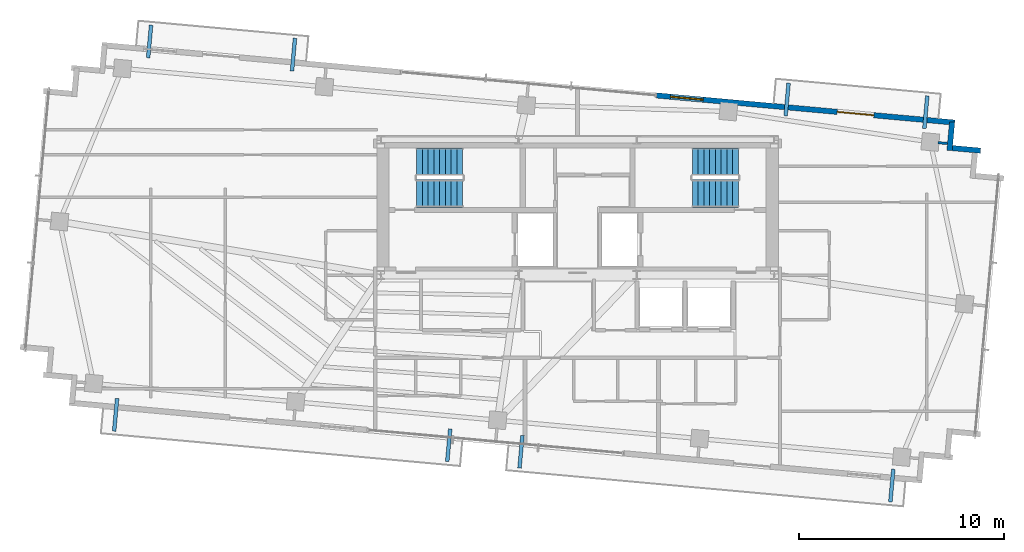
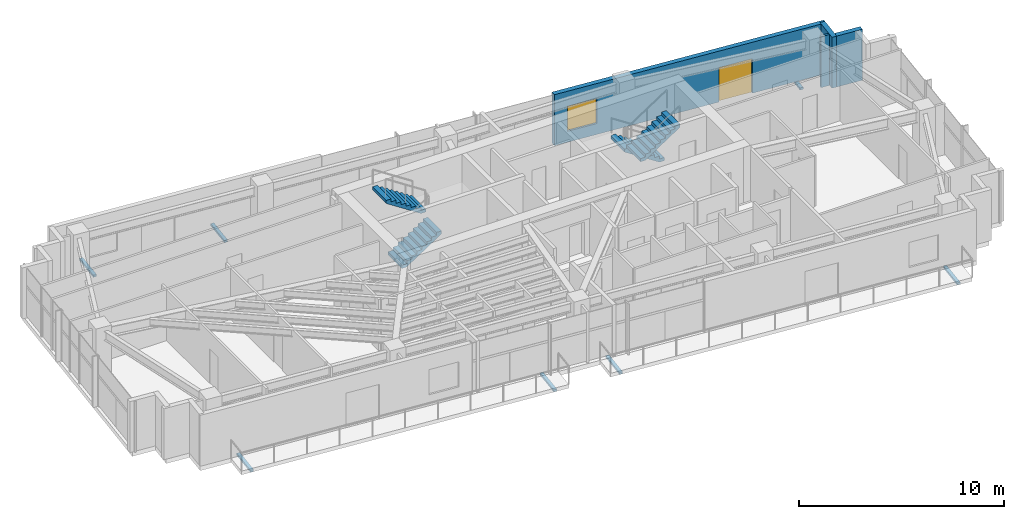
# One storey, part 19 of 22: 8 discrete accessories, 4 stair flights, 4 walls, 1 door, 1 window, 2 openings, 2 elements without a shape of their own.
"""IFC4 building model written with IfcOpenShell, lengths in metres."""

import ifcopenshell
import ifcopenshell.guid

model = None  # the IFC model being written
_history = None  # IfcOwnerHistory: only IFC2X3 demands one
_inside = {}  # id of a spatial element -> (the spatial element, [elements in it])
_under = {}  # id of a project, library or spatial element -> (it, [spatial elements below it])
_declared = {}  # id of a project -> (the project, [libraries it declares])
_typed = {}  # id of a type object -> (the type object, [elements of that type])
_made_of = {}  # id of a material, layer set ... -> (it, [elements and type objects made of it])


def new_model(schema):
    """Start an empty IFC model of exactly this schema.

    Asked for "IFC4X3", IfcOpenShell would pick the latest addendum, in which some entities
    have other attributes; the version numbers below select the first issue.
    IFC2X3 requires an IfcOwnerHistory on every rooted entity: one is made here for all.
    """
    global model, _history
    if schema == "IFC4X3":
        model = ifcopenshell.file(schema_version=(4, 3, 0, 0))
    else:
        model = ifcopenshell.file(schema=schema)
    _inside.clear()
    _under.clear()
    _declared.clear()
    _typed.clear()
    _made_of.clear()
    _history = None
    if model.schema == "IFC2X3":
        org = make("IfcOrganization", Name="unknown")
        user = make(
            "IfcPersonAndOrganization",
            ThePerson=make("IfcPerson", FamilyName="unknown"),
            TheOrganization=org,
        )
        app = make(
            "IfcApplication",
            ApplicationDeveloper=org,
            Version="unknown",
            ApplicationFullName="unknown",
            ApplicationIdentifier="unknown",
        )
        _history = make(
            "IfcOwnerHistory",
            OwningUser=user,
            OwningApplication=app,
            ChangeAction="ADDED",
            CreationDate=0,
        )
    return model


def make(cls, **values):
    """One entity of the class cls with the attributes given. An attribute that is None is left unset."""
    return model.create_entity(
        cls, **{name: value for name, value in values.items() if value is not None}
    )


def rooted(cls, **values):
    """An entity with a GlobalId (a new one), such as an element, a storey or a relation."""
    return make(cls, GlobalId=ifcopenshell.guid.new(), OwnerHistory=_history, **values)


def si_unit(unit_type, name, prefix=None):
    """IfcSIUnit, for example si_unit("LENGTHUNIT", "METRE", prefix="MILLI")."""
    return make("IfcSIUnit", UnitType=unit_type, Prefix=prefix, Name=name)


def assignment(units):
    """IfcUnitAssignment: the units of a project."""
    return None if units is None else make("IfcUnitAssignment", Units=units)


def point(xyz):
    """IfcCartesianPoint."""
    return None if xyz is None else make("IfcCartesianPoint", Coordinates=xyz)


def direction(xyz):
    """IfcDirection."""
    return None if xyz is None else make("IfcDirection", DirectionRatios=xyz)


def frame(location, z_axis=None, x_axis=None):
    """IfcAxis2Placement3D, a coordinate frame: its origin and axes. An axis left out is left unset."""
    return make(
        "IfcAxis2Placement3D",
        Location=point(location),
        Axis=direction(z_axis),
        RefDirection=direction(x_axis),
    )


def frame_2d(location, x_axis=None):
    """IfcAxis2Placement2D, a coordinate frame in the plane: its origin and x axis."""
    return make(
        "IfcAxis2Placement2D", Location=point(location), RefDirection=direction(x_axis)
    )


def origin():
    """The frame at (0, 0, 0) with its axes left unset."""
    return frame((0.0, 0.0, 0.0))


def origin_2d():
    """The frame at (0, 0) in the plane with its x axis left unset."""
    return frame_2d((0.0, 0.0))


def place(relative_to, where):
    """IfcLocalPlacement: puts the frame where relative to a parent placement (None: the world)."""
    return make(
        "IfcLocalPlacement", PlacementRelTo=relative_to, RelativePlacement=where
    )


def context(
    kind, dimensions, precision=None, world=None, true_north=None, identifier=None
):
    """IfcGeometricRepresentationContext, for example the 3D "Model" context."""
    return make(
        "IfcGeometricRepresentationContext",
        ContextIdentifier=identifier,
        ContextType=kind,
        CoordinateSpaceDimension=dimensions,
        Precision=precision,
        WorldCoordinateSystem=world,
        TrueNorth=true_north,
    )


def subcontext(parent, identifier, kind, view, scale=None):
    """IfcGeometricRepresentationSubContext, for example "Body" below "Model"."""
    return make(
        "IfcGeometricRepresentationSubContext",
        ContextIdentifier=identifier,
        ContextType=kind,
        ParentContext=parent,
        TargetScale=scale,
        TargetView=view,
    )


def project(units=None, contexts=None):
    """IfcProject with its units and contexts."""
    return rooted(
        "IfcProject",
        Name="project",
        RepresentationContexts=contexts,
        UnitsInContext=assignment(units),
    )


def spatial(cls, under=None, at=None, **own):
    """A site, building, storey or space (cls), placed at a placement, below another one or the project."""
    s = rooted(cls, ObjectPlacement=at, **own)
    if under is not None:
        _under.setdefault(under.id(), (under, []))[1].append(s)
    return s


def polyline(points):
    """IfcPolyline through the points."""
    return make("IfcPolyline", Points=[point(p) for p in points])


def profile(cls, at=None, kind="AREA", **sizes):
    """A parametric profile (cls). Its sizes go by their IFC names, for example OverallWidth=200.0."""
    return make(cls, ProfileType=kind, Position=at, **sizes)


def rectangle(**sizes):
    """IfcRectangleProfileDef."""
    return profile("IfcRectangleProfileDef", **sizes)


def outline(outer, holes=None, kind="AREA"):
    """IfcArbitraryClosedProfileDef: a profile drawn as a closed curve; with holes, ...WithVoids."""
    if holes is None:
        return make("IfcArbitraryClosedProfileDef", ProfileType=kind, OuterCurve=outer)
    return make(
        "IfcArbitraryProfileDefWithVoids",
        ProfileType=kind,
        OuterCurve=outer,
        InnerCurves=holes,
    )


def extrude(swept, where, along, depth):
    """IfcExtrudedAreaSolid: the profile swept, set in the frame where, extruded along a direction by depth."""
    return make(
        "IfcExtrudedAreaSolid",
        SweptArea=swept,
        Position=where,
        ExtrudedDirection=direction(along),
        Depth=depth,
    )


def shape(context_of_items, identifier, shape_type, items):
    """IfcShapeRepresentation: the items that make up one representation, for example the "Body"."""
    return make(
        "IfcShapeRepresentation",
        ContextOfItems=context_of_items,
        RepresentationIdentifier=identifier,
        RepresentationType=shape_type,
        Items=items,
    )


def source(mapping_origin, context_of_items, identifier, shape_type, items):
    """IfcRepresentationMap: a shape defined once, which mapped items show again and again."""
    return make(
        "IfcRepresentationMap",
        MappingOrigin=mapping_origin,
        MappedRepresentation=shape(context_of_items, identifier, shape_type, items),
    )


def transform(
    local_origin,
    x_axis=None,
    y_axis=None,
    z_axis=None,
    scale=None,
    scale2=None,
    scale3=None,
    uniform=True,
):
    """IfcCartesianTransformationOperator3D, or its non-uniform kind. x_axis, y_axis, z_axis: its Axis1, 2, 3."""
    if uniform:
        return make(
            "IfcCartesianTransformationOperator3D",
            Axis1=direction(x_axis),
            Axis2=direction(y_axis),
            LocalOrigin=point(local_origin),
            Scale=scale,
            Axis3=direction(z_axis),
        )
    return make(
        "IfcCartesianTransformationOperator3DnonUniform",
        Axis1=direction(x_axis),
        Axis2=direction(y_axis),
        LocalOrigin=point(local_origin),
        Scale=scale,
        Axis3=direction(z_axis),
        Scale2=scale2,
        Scale3=scale3,
    )


def mapped(mapping_source, mapping_target):
    """IfcMappedItem: shows the shape of a source again, moved by a transform."""
    return make(
        "IfcMappedItem", MappingSource=mapping_source, MappingTarget=mapping_target
    )


def material(Name=None, Category=None):
    """IfcMaterial."""
    return make("IfcMaterial", Name=Name, Category=Category)


def layer(
    of_material, thickness, ventilated=None, Name=None, Category=None, Priority=None
):
    """IfcMaterialLayer: one layer of a wall or slab, of a material (None: an air gap)."""
    return make(
        "IfcMaterialLayer",
        Material=of_material,
        LayerThickness=thickness,
        IsVentilated=ventilated,
        Name=Name,
        Category=Category,
        Priority=Priority,
    )


def layer_set(layers, Name=None):
    """IfcMaterialLayerSet."""
    return make("IfcMaterialLayerSet", MaterialLayers=layers, LayerSetName=Name)


def made_of(thing, what):
    """Note that an element or type object is made of a material, layer set ...; save() writes the relation."""
    if what is not None:
        _made_of.setdefault(what.id(), (what, []))[1].append(thing)
    return thing


def type_object(cls, material=None, **own):
    """A type object (cls), such as IfcWallType, which elements share."""
    return made_of(rooted(cls, **own), material)


def type_shapes(of_type, sources):
    """Give a type object the sources (RepresentationMaps) that its elements show as mapped items."""
    of_type.RepresentationMaps = sources


def element(
    cls,
    number,
    at=None,
    inside=None,
    cuts=None,
    type_object=None,
    material=None,
    context=None,
    identifier="Body",
    shape_type=None,
    held_by="IfcProductDefinitionShape",
    body=None,
    shapes=None,
    **own,
):
    """One element of the class cls, such as IfcWall. Its Tag is "e" and its number.

    at: its placement. inside: the storey or other place that contains it. cuts: it is an
    opening in that element (IfcRelVoidsElement). A single representation is given by context,
    identifier, shape_type and body (its items); several are given by shapes. held_by: the class
    of the entity that holds the representations. save() writes the other relations.
    """
    e = rooted(cls, Tag="e%d" % number, ObjectPlacement=at, **own)
    if body is not None:
        shapes = [shape(context, identifier, shape_type, body)]
    if shapes is not None:
        e.Representation = make(held_by, Representations=shapes)
    if inside is not None:
        _inside.setdefault(inside.id(), (inside, []))[1].append(e)
    if cuts is not None:
        rooted(
            "IfcRelVoidsElement", RelatingBuildingElement=cuts, RelatedOpeningElement=e
        )
    if type_object is not None:
        _typed.setdefault(type_object.id(), (type_object, []))[1].append(e)
    return made_of(e, material)


def fill(opening, filler):
    """IfcRelFillsElement: the door or window that sits in an opening."""
    return rooted(
        "IfcRelFillsElement",
        RelatingOpeningElement=opening,
        RelatedBuildingElement=filler,
    )


def aggregate(whole, parts):
    """IfcRelAggregates: a whole, such as a stair, and the parts it consists of."""
    return rooted("IfcRelAggregates", RelatingObject=whole, RelatedObjects=parts)


def save(model, path):
    """Write the relations noted so far, then the file.

    IfcRelAggregates (storeys below a building ...), IfcRelContainedInSpatialStructure (elements
    in a storey), IfcRelDefinesByType, IfcRelAssociatesMaterial and IfcRelDeclares: one each for
    every whole, place, type object, material and project.
    """
    for whole, parts in _under.values():
        aggregate(whole, parts)
    for where, things in _inside.values():
        rooted(
            "IfcRelContainedInSpatialStructure",
            RelatedElements=things,
            RelatingStructure=where,
        )
    for kind, things in _typed.values():
        rooted("IfcRelDefinesByType", RelatedObjects=things, RelatingType=kind)
    for what, things in _made_of.values():
        rooted("IfcRelAssociatesMaterial", RelatedObjects=things, RelatingMaterial=what)
    for by, libraries in _declared.values():
        rooted("IfcRelDeclares", RelatingContext=by, RelatedDefinitions=libraries)
    model.write(path)


model = new_model("IFC4")

# Units and contexts
model_context = context("Model", 3, precision=1e-05, world=origin(), true_north=direction((0.0, 1.0)))
body_context = subcontext(model_context, "Body", "Model", "MODEL_VIEW")
ifc_project = project(units=[si_unit("LENGTHUNIT", "METRE"), si_unit("AREAUNIT", "SQUARE_METRE"), si_unit("VOLUMEUNIT", "CUBIC_METRE"), si_unit("PLANEANGLEUNIT", "RADIAN"), si_unit("MASSUNIT", "GRAM", prefix="KILO")], contexts=[model_context])

# Site, building, storey
site_placement = place(None, origin())
site = spatial("IfcSite", under=ifc_project, at=site_placement, CompositionType="ELEMENT")
building_placement = place(site_placement, origin())
building = spatial("IfcBuilding", under=site, at=building_placement, Name="Astriad Promenade Condominiums", CompositionType="ELEMENT")
storey_placement = place(building_placement, frame((0.0, 0.0, 239.699951171875)))
storey = spatial("IfcBuildingStorey", under=building, at=storey_placement, Name="L69", CompositionType="ELEMENT", Elevation=239.699951171875)

# Wall, openings, door, window
ifc_material_1 = material(Name="Precast concrete C50/60", Category="concrete")
ifc_layer_1 = layer(ifc_material_1, 0.260009765625)
ifc_layer_set_1 = layer_set([ifc_layer_1], Name="Precast concrete C50/60")
wall_type_1 = type_object("IfcWallType", Name="WALL-EXT-TWR-260", PredefinedType="STANDARD", material=ifc_layer_set_1)
wall_1_placement = place(storey_placement, frame((39.839111328125, 26.16552734375, 0.0), z_axis=(0.0, 0.0, 1.0), x_axis=(0.995884447498, -0.090632043071, 0.0)))
wall_1 = element("IfcWall", 1, at=wall_1_placement, inside=storey, type_object=wall_type_1, Name="W-EXT-L69-N2", PredefinedType="STANDARD", context=body_context, shape_type="SweptSolid", body=[
    extrude(rectangle(XDim=14.6298828125, YDim=0.260009765625, at=frame_2d((7.31494140625, 0.0))), origin(), (0.0, 0.0, 1.0), 3.0400390625),
])
opening_1_placement = place(wall_1_placement, frame((8.8701171875, 0.0, 0.0)))
opening_1 = element("IfcOpeningElement", 2, at=opening_1_placement, cuts=wall_1, Name="Opening BD-1822-SLD", PredefinedType="OPENING", context=body_context, shape_type="SweptSolid", body=[
    extrude(rectangle(XDim=1.800048828125, YDim=2.06005859375, at=frame_2d((0.89990234375, 1.030029296875))), frame((0.0, 0.139892578125, 0.0), z_axis=(0.0, -1.0, 0.0), x_axis=(1.0, 0.0, 0.0)), (0.0, 0.0, 1.0), 0.280029296875),
])
opening_2_placement = place(wall_1_placement, frame((0.699951171875, 0.0, 0.64990234375)))
opening_2 = element("IfcOpeningElement", 3, at=opening_2_placement, cuts=wall_1, Name="Opening WIN-TWR-1620", PredefinedType="OPENING", context=body_context, shape_type="SweptSolid", body=[
    extrude(rectangle(XDim=1.60009765625, YDim=1.5, at=frame_2d((0.800048828125, 0.75))), frame((0.0, 0.139892578125, 0.0), z_axis=(0.0, -1.0, 0.0), x_axis=(1.0, 0.0, 0.0)), (0.0, 0.0, 1.0), 0.280029296875),
])
ifc_material_2 = material(Name="Thermally Broken Aluminium Sliding Balcony Door", Category="aluminium")
door_type = type_object("IfcDoorType", Name="BD-1822-SLD", OperationType="NOTDEFINED", PredefinedType="DOOR", material=ifc_material_2)
shared_shape_1 = source(origin(), body_context, "Body", "SweptSolid", [
    extrude(rectangle(XDim=1.800048828125, YDim=2.06005859375, at=frame_2d((0.89990234375, 1.030029296875))), frame((0.0, 0.02490234375, 0.0), z_axis=(0.0, -1.0, 0.0), x_axis=(1.0, 0.0, 0.0)), (0.0, 0.0, 1.0), 0.050048828125),
])
type_shapes(door_type, [shared_shape_1])
door_placement = place(opening_1_placement, origin())
door = element("IfcDoor", 4, at=door_placement, inside=storey, type_object=door_type, Name="BD-L69-NE", OperationType="SLIDING_TO_RIGHT", OverallHeight=2.06005859375, OverallWidth=1.800048828125, PredefinedType="DOOR", context=body_context, shape_type="MappedRepresentation", body=[
    mapped(shared_shape_1, transform((0.0, 0.0, 0.0), scale=1.0)),
])
fill(opening_1, door)
ifc_material_3 = material(Name="Dark Tinted Triple-Glazed Aluminium Window", Category="aluminium")
window_type = type_object("IfcWindowType", Name="WIN-TWR-1620", PartitioningType="SINGLE_PANEL", PredefinedType="WINDOW", material=ifc_material_3)
shared_shape_2 = source(origin(), body_context, "Body", "SweptSolid", [
    extrude(rectangle(XDim=1.60009765625, YDim=1.5, at=frame_2d((0.800048828125, 0.75))), frame((0.0, 0.030029296875, 0.0), z_axis=(0.0, -1.0, 0.0), x_axis=(1.0, 0.0, 0.0)), (0.0, 0.0, 1.0), 0.06005859375),
])
type_shapes(window_type, [shared_shape_2])
window_placement = place(opening_2_placement, origin())
window = element("IfcWindow", 5, at=window_placement, inside=storey, type_object=window_type, Name="WIN-L69-NE", OverallHeight=1.5, OverallWidth=1.60009765625, PartitioningType="SINGLE_PANEL", PredefinedType="WINDOW", context=body_context, shape_type="MappedRepresentation", body=[
    mapped(shared_shape_2, transform((0.0, 0.0, 0.0), scale=1.0)),
])
fill(opening_2, window)

# Walls
wall_2_placement = place(storey_placement, frame((54.28076171875, 24.866455078125, 0.0), z_axis=(0.0, 0.0, 1.0), x_axis=(-0.090661991521, -0.995881721538, 0.0)))
element("IfcWall", 6, at=wall_2_placement, inside=storey, type_object=wall_type_1, Name="W-SER-L69-09", PredefinedType="STANDARD", context=body_context, shape_type="SweptSolid", body=[
    extrude(rectangle(XDim=1.39501953125, YDim=0.260009765625, at=frame_2d((0.697509765625, 0.0))), origin(), (0.0, 0.0, 1.0), 3.0400390625),
])
wall_3_placement = place(storey_placement, frame((54.280517578125, 23.59619140625, 0.0), z_axis=(0.0, 0.0, 1.0), x_axis=(0.995883159782, -0.090646191665, 0.0)))
element("IfcWall", 7, at=wall_3_placement, inside=storey, type_object=wall_type_1, Name="W-SER-L69-10", PredefinedType="STANDARD", context=body_context, shape_type="SweptSolid", body=[
    extrude(rectangle(XDim=1.395263671875, YDim=0.260009765625, at=frame_2d((0.69775390625, 0.0))), origin(), (0.0, 0.0, 1.0), 3.0400390625),
])
ifc_material_4 = material(Name="Acoustic Metal-Stud Gypsum Partition")
ifc_layer_2 = layer(ifc_material_4, 0.1201171875)
ifc_layer_set_2 = layer_set([ifc_layer_2], Name="Acoustic Metal-Stud Gypsum Partition")
wall_type_2 = type_object("IfcWallType", Name="WALL-PART-120", PredefinedType="PARTITIONING", material=ifc_layer_set_2)
wall_4_placement = place(storey_placement, frame((53.5966796875, 23.859375, 0.0), z_axis=(0.0, 0.0, 1.0), x_axis=(0.995884462012, -0.090631883588, 0.0)))
element("IfcWall", 8, at=wall_4_placement, inside=storey, type_object=wall_type_2, Name="PT-PIL-L69-PC10-17", PredefinedType="PARTITIONING", context=body_context, shape_type="SweptSolid", body=[
    extrude(rectangle(XDim=0.4580078125, YDim=0.1201171875, at=frame_2d((0.22900390625, 0.0))), origin(), (0.0, 0.0, 1.0), 3.0400390625),
])

# Stair, stair flights
ifc_material_5 = material(Name="Concrete C50/60", Category="concrete")
stair_type = type_object("IfcStairType", Name="STR-CORE-1350", PredefinedType="HALF_TURN_STAIR", material=ifc_material_5)
stair_1_placement = place(storey_placement, origin())
stair_1 = element("IfcStair", 9, at=stair_1_placement, inside=storey, type_object=stair_type, Name="L69 Enclosed Core Exit Stair ST-1", PredefinedType="HALF_TURN_STAIR")
stair_flight_type = type_object("IfcStairFlightType", Name="SFL-CORE-1350", PredefinedType="STRAIGHT", material=ifc_material_5)
shared_shape_3 = source(origin(), body_context, "Body", "SweptSolid", [
    extrude(outline(polyline([(0.0, 0.0), (0.0, 0.183349609375), (0.280029296875, 0.183349609375), (0.280029296875, 0.36669921875), (0.56005859375, 0.36669921875), (0.56005859375, 0.550048828125), (0.840087890625, 0.550048828125), (0.840087890625, 0.7333984375), (1.1201171875, 0.7333984375), (1.1201171875, 0.916748046875), (1.39990234375, 0.916748046875), (1.39990234375, 1.10009765625), (1.679931640625, 1.10009765625), (1.679931640625, 1.283447265625), (1.9599609375, 1.283447265625), (1.9599609375, 1.466552734375), (2.239990234375, 1.466552734375), (2.239990234375, 1.64990234375), (2.239990234375, 1.28759765625), (0.273681640625, 0.0), (0.0, 0.0)])), frame((0.0, 0.675048828125, 0.0), z_axis=(0.0, -1.0, 0.0), x_axis=(1.0, 0.0, 0.0)), (0.0, 0.0, 1.0), 1.35009765625),
])
type_shapes(stair_flight_type, [shared_shape_3])
stair_flight_1_placement = place(storey_placement, frame((28.14990234375, 21.375, 0.0), z_axis=(0.0, 0.0, 1.0), x_axis=(1.0, 0.0, 0.0)))
stair_flight_1 = element("IfcStairFlight", 10, at=stair_flight_1_placement, type_object=stair_flight_type, Name="ST-1 flight 1", NumberOfRisers=9, NumberOfTreads=8, PredefinedType="STRAIGHT", RiserHeight=0.183333333, TreadLength=0.28, context=body_context, shape_type="MappedRepresentation", body=[
    mapped(shared_shape_3, transform((0.0, 0.0, 0.0), scale=1.0)),
])
stair_flight_2_placement = place(storey_placement, frame((30.389892578125, 22.925048828125, 1.650146484375), z_axis=(0.0, 0.0, 1.0), x_axis=(-1.0, 0.0, 0.0)))
stair_flight_2 = element("IfcStairFlight", 11, at=stair_flight_2_placement, type_object=stair_flight_type, Name="ST-1 flight 2", NumberOfRisers=9, NumberOfTreads=8, PredefinedType="STRAIGHT", RiserHeight=0.183333333, TreadLength=0.28, context=body_context, shape_type="MappedRepresentation", body=[
    mapped(shared_shape_3, transform((0.0, 0.0, 0.0), scale=1.0)),
])
aggregate(stair_1, [stair_flight_1, stair_flight_2])

stair_2_placement = place(storey_placement, origin())
stair_2 = element("IfcStair", 12, at=stair_2_placement, inside=storey, type_object=stair_type, Name="L69 Enclosed Core Exit Stair ST-2", PredefinedType="HALF_TURN_STAIR")
stair_flight_3_placement = place(storey_placement, frame((43.85009765625, 22.925048828125, 0.0), z_axis=(0.0, 0.0, 1.0), x_axis=(-1.0, 0.0, 0.0)))
stair_flight_3 = element("IfcStairFlight", 13, at=stair_flight_3_placement, type_object=stair_flight_type, Name="ST-2 flight 1", NumberOfRisers=9, NumberOfTreads=8, PredefinedType="STRAIGHT", RiserHeight=0.183333333, TreadLength=0.28, context=body_context, shape_type="MappedRepresentation", body=[
    mapped(shared_shape_3, transform((0.0, 0.0, 0.0), scale=1.0)),
])
stair_flight_4_placement = place(storey_placement, frame((41.610107421875, 21.375, 1.650146484375), z_axis=(0.0, 0.0, 1.0), x_axis=(1.0, 0.0, 0.0)))
stair_flight_4 = element("IfcStairFlight", 14, at=stair_flight_4_placement, type_object=stair_flight_type, Name="ST-2 flight 2", NumberOfRisers=9, NumberOfTreads=8, PredefinedType="STRAIGHT", RiserHeight=0.183333333, TreadLength=0.28, context=body_context, shape_type="MappedRepresentation", body=[
    mapped(shared_shape_3, transform((0.0, 0.0, 0.0), scale=1.0)),
])
aggregate(stair_2, [stair_flight_3, stair_flight_4])

# Discrete accessories
ifc_material_6 = material(Name="Steel ASTM A572 Grade 50", Category="steel")
discrete_accessory_type = type_object("IfcDiscreteAccessoryType", Name="STEEL BALCONY OUTRIGGER BRACKET", PredefinedType="BRACKET", material=ifc_material_6)
shared_shape_4 = source(origin(), body_context, "Body", "SweptSolid", [
    extrude(rectangle(XDim=1.60009765625, YDim=0.179931640625, at=origin_2d()), origin(), (0.0, 0.0, 1.0), 0.1220703125),
])
type_shapes(discrete_accessory_type, [shared_shape_4])
for number, where, z_axis, x_axis, name in (
    (15, (13.4541015625, 10.57275390625, -0.340087890625), (0.0, 0.0, 1.0), (-0.090632580198, -0.995884398616, 0.0), "Balcony Outrigger Bracket BAL-L69-SW-A"),
    (16, (29.7119140625, 9.09326171875, -0.340087890625), (0.0, 0.0, 1.0), (-0.090632580198, -0.995884398616, 0.0), "Balcony Outrigger Bracket BAL-L69-SW-B"),
    (17, (33.238525390625, 8.772216796875, -0.340087890625), (0.0, 0.0, 1.0), (-0.090632580198, -0.995884398616, 0.0), "Balcony Outrigger Bracket BAL-L69-SE-A"),
    (18, (51.339599609375, 7.125, -0.340087890625), (0.0, 0.0, 1.0), (-0.090632580198, -0.995884398616, 0.0), "Balcony Outrigger Bracket BAL-L69-SE-B"),
    (19, (15.11279296875, 28.797607421875, -0.340087890625), (0.0, 0.0, 1.0), (0.090632580198, 0.995884398616, 0.0), "Balcony Outrigger Bracket BAL-L69-NW-A"),
    (20, (22.13671875, 28.158203125, -0.340087890625), (0.0, 0.0, 1.0), (0.090632580198, 0.995884398616, 0.0), "Balcony Outrigger Bracket BAL-L69-NW-B"),
    (21, (46.227294921875, 25.9658203125, -0.340087890625), (0.0, 0.0, 1.0), (0.090632580198, 0.995884398616, 0.0), "Balcony Outrigger Bracket BAL-L69-NE-A"),
    (22, (52.998291015625, 25.349609375, -0.340087890625), (0.0, 0.0, 1.0), (0.090632580198, 0.995884398616, 0.0), "Balcony Outrigger Bracket BAL-L69-NE-B"),
):
    element("IfcDiscreteAccessory", number, at=place(storey_placement, frame(where, z_axis=z_axis, x_axis=x_axis)), inside=storey, type_object=discrete_accessory_type, Name=name, PredefinedType="BRACKET", context=body_context, shape_type="MappedRepresentation", body=[
        mapped(shared_shape_4, transform((0.0, 0.0, 0.0), scale=1.0)),
    ])

save(model, "model.ifc")
